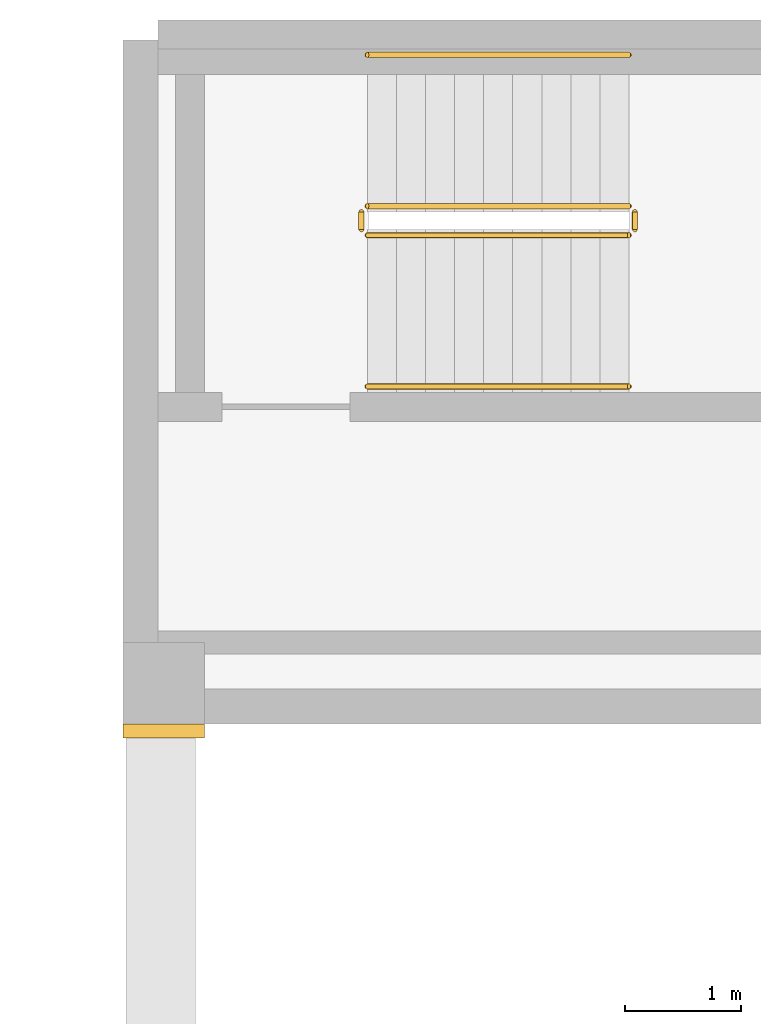
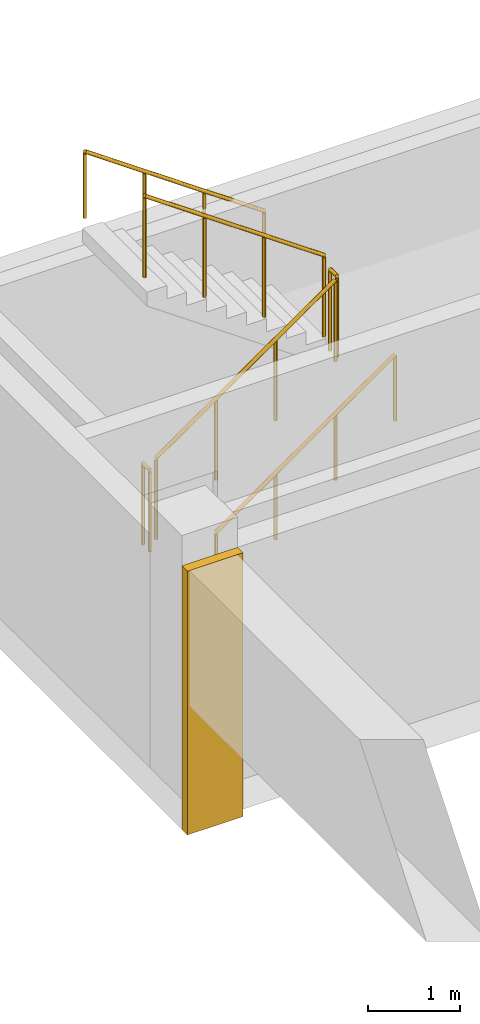
# One storey, part 9 of 9: 6 railings, 1 covering.
"""IFC4 building model written with IfcOpenShell, lengths in metres."""

import ifcopenshell
import ifcopenshell.guid

model = None  # the IFC model being written
_history = None  # IfcOwnerHistory: only IFC2X3 demands one
_inside = {}  # id of a spatial element -> (the spatial element, [elements in it])
_under = {}  # id of a project, library or spatial element -> (it, [spatial elements below it])
_declared = {}  # id of a project -> (the project, [libraries it declares])
_typed = {}  # id of a type object -> (the type object, [elements of that type])
_made_of = {}  # id of a material, layer set ... -> (it, [elements and type objects made of it])


def new_model(schema):
    """Start an empty IFC model of exactly this schema.

    Asked for "IFC4X3", IfcOpenShell would pick the latest addendum, in which some entities
    have other attributes; the version numbers below select the first issue.
    IFC2X3 requires an IfcOwnerHistory on every rooted entity: one is made here for all.
    """
    global model, _history
    if schema == "IFC4X3":
        model = ifcopenshell.file(schema_version=(4, 3, 0, 0))
    else:
        model = ifcopenshell.file(schema=schema)
    _inside.clear()
    _under.clear()
    _declared.clear()
    _typed.clear()
    _made_of.clear()
    _history = None
    if model.schema == "IFC2X3":
        org = make("IfcOrganization", Name="unknown")
        user = make(
            "IfcPersonAndOrganization",
            ThePerson=make("IfcPerson", FamilyName="unknown"),
            TheOrganization=org,
        )
        app = make(
            "IfcApplication",
            ApplicationDeveloper=org,
            Version="unknown",
            ApplicationFullName="unknown",
            ApplicationIdentifier="unknown",
        )
        _history = make(
            "IfcOwnerHistory",
            OwningUser=user,
            OwningApplication=app,
            ChangeAction="ADDED",
            CreationDate=0,
        )
    return model


def make(cls, **values):
    """One entity of the class cls with the attributes given. An attribute that is None is left unset."""
    return model.create_entity(
        cls, **{name: value for name, value in values.items() if value is not None}
    )


def rooted(cls, **values):
    """An entity with a GlobalId (a new one), such as an element, a storey or a relation."""
    return make(cls, GlobalId=ifcopenshell.guid.new(), OwnerHistory=_history, **values)


def si_unit(unit_type, name, prefix=None):
    """IfcSIUnit, for example si_unit("LENGTHUNIT", "METRE", prefix="MILLI")."""
    return make("IfcSIUnit", UnitType=unit_type, Prefix=prefix, Name=name)


def assignment(units):
    """IfcUnitAssignment: the units of a project."""
    return None if units is None else make("IfcUnitAssignment", Units=units)


def point(xyz):
    """IfcCartesianPoint."""
    return None if xyz is None else make("IfcCartesianPoint", Coordinates=xyz)


def direction(xyz):
    """IfcDirection."""
    return None if xyz is None else make("IfcDirection", DirectionRatios=xyz)


def frame(location, z_axis=None, x_axis=None):
    """IfcAxis2Placement3D, a coordinate frame: its origin and axes. An axis left out is left unset."""
    return make(
        "IfcAxis2Placement3D",
        Location=point(location),
        Axis=direction(z_axis),
        RefDirection=direction(x_axis),
    )


def frame_2d(location, x_axis=None):
    """IfcAxis2Placement2D, a coordinate frame in the plane: its origin and x axis."""
    return make(
        "IfcAxis2Placement2D", Location=point(location), RefDirection=direction(x_axis)
    )


def origin():
    """The frame at (0, 0, 0) with its axes left unset."""
    return frame((0.0, 0.0, 0.0))


def origin_2d():
    """The frame at (0, 0) in the plane with its x axis left unset."""
    return frame_2d((0.0, 0.0))


def place(relative_to, where):
    """IfcLocalPlacement: puts the frame where relative to a parent placement (None: the world)."""
    return make(
        "IfcLocalPlacement", PlacementRelTo=relative_to, RelativePlacement=where
    )


def context(
    kind, dimensions, precision=None, world=None, true_north=None, identifier=None
):
    """IfcGeometricRepresentationContext, for example the 3D "Model" context."""
    return make(
        "IfcGeometricRepresentationContext",
        ContextIdentifier=identifier,
        ContextType=kind,
        CoordinateSpaceDimension=dimensions,
        Precision=precision,
        WorldCoordinateSystem=world,
        TrueNorth=true_north,
    )


def subcontext(parent, identifier, kind, view, scale=None):
    """IfcGeometricRepresentationSubContext, for example "Body" below "Model"."""
    return make(
        "IfcGeometricRepresentationSubContext",
        ContextIdentifier=identifier,
        ContextType=kind,
        ParentContext=parent,
        TargetScale=scale,
        TargetView=view,
    )


def project(units=None, contexts=None):
    """IfcProject with its units and contexts."""
    return rooted(
        "IfcProject",
        Name="project",
        RepresentationContexts=contexts,
        UnitsInContext=assignment(units),
    )


def spatial(cls, under=None, at=None, **own):
    """A site, building, storey or space (cls), placed at a placement, below another one or the project."""
    s = rooted(cls, ObjectPlacement=at, **own)
    if under is not None:
        _under.setdefault(under.id(), (under, []))[1].append(s)
    return s


def profile(cls, at=None, kind="AREA", **sizes):
    """A parametric profile (cls). Its sizes go by their IFC names, for example OverallWidth=200.0."""
    return make(cls, ProfileType=kind, Position=at, **sizes)


def rectangle(**sizes):
    """IfcRectangleProfileDef."""
    return profile("IfcRectangleProfileDef", **sizes)


def circle(**sizes):
    """IfcCircleProfileDef."""
    return profile("IfcCircleProfileDef", **sizes)


def extrude(swept, where, along, depth):
    """IfcExtrudedAreaSolid: the profile swept, set in the frame where, extruded along a direction by depth."""
    return make(
        "IfcExtrudedAreaSolid",
        SweptArea=swept,
        Position=where,
        ExtrudedDirection=direction(along),
        Depth=depth,
    )


def shape(context_of_items, identifier, shape_type, items):
    """IfcShapeRepresentation: the items that make up one representation, for example the "Body"."""
    return make(
        "IfcShapeRepresentation",
        ContextOfItems=context_of_items,
        RepresentationIdentifier=identifier,
        RepresentationType=shape_type,
        Items=items,
    )


def source(mapping_origin, context_of_items, identifier, shape_type, items):
    """IfcRepresentationMap: a shape defined once, which mapped items show again and again."""
    return make(
        "IfcRepresentationMap",
        MappingOrigin=mapping_origin,
        MappedRepresentation=shape(context_of_items, identifier, shape_type, items),
    )


def transform(
    local_origin,
    x_axis=None,
    y_axis=None,
    z_axis=None,
    scale=None,
    scale2=None,
    scale3=None,
    uniform=True,
):
    """IfcCartesianTransformationOperator3D, or its non-uniform kind. x_axis, y_axis, z_axis: its Axis1, 2, 3."""
    if uniform:
        return make(
            "IfcCartesianTransformationOperator3D",
            Axis1=direction(x_axis),
            Axis2=direction(y_axis),
            LocalOrigin=point(local_origin),
            Scale=scale,
            Axis3=direction(z_axis),
        )
    return make(
        "IfcCartesianTransformationOperator3DnonUniform",
        Axis1=direction(x_axis),
        Axis2=direction(y_axis),
        LocalOrigin=point(local_origin),
        Scale=scale,
        Axis3=direction(z_axis),
        Scale2=scale2,
        Scale3=scale3,
    )


def mapped(mapping_source, mapping_target):
    """IfcMappedItem: shows the shape of a source again, moved by a transform."""
    return make(
        "IfcMappedItem", MappingSource=mapping_source, MappingTarget=mapping_target
    )


def material(Name=None, Category=None):
    """IfcMaterial."""
    return make("IfcMaterial", Name=Name, Category=Category)


def made_of(thing, what):
    """Note that an element or type object is made of a material, layer set ...; save() writes the relation."""
    if what is not None:
        _made_of.setdefault(what.id(), (what, []))[1].append(thing)
    return thing


def type_object(cls, material=None, **own):
    """A type object (cls), such as IfcWallType, which elements share."""
    return made_of(rooted(cls, **own), material)


def element(
    cls,
    number,
    at=None,
    inside=None,
    cuts=None,
    type_object=None,
    material=None,
    context=None,
    identifier="Body",
    shape_type=None,
    held_by="IfcProductDefinitionShape",
    body=None,
    shapes=None,
    **own,
):
    """One element of the class cls, such as IfcWall. Its Tag is "e" and its number.

    at: its placement. inside: the storey or other place that contains it. cuts: it is an
    opening in that element (IfcRelVoidsElement). A single representation is given by context,
    identifier, shape_type and body (its items); several are given by shapes. held_by: the class
    of the entity that holds the representations. save() writes the other relations.
    """
    e = rooted(cls, Tag="e%d" % number, ObjectPlacement=at, **own)
    if body is not None:
        shapes = [shape(context, identifier, shape_type, body)]
    if shapes is not None:
        e.Representation = make(held_by, Representations=shapes)
    if inside is not None:
        _inside.setdefault(inside.id(), (inside, []))[1].append(e)
    if cuts is not None:
        rooted(
            "IfcRelVoidsElement", RelatingBuildingElement=cuts, RelatedOpeningElement=e
        )
    if type_object is not None:
        _typed.setdefault(type_object.id(), (type_object, []))[1].append(e)
    return made_of(e, material)


def aggregate(whole, parts):
    """IfcRelAggregates: a whole, such as a stair, and the parts it consists of."""
    return rooted("IfcRelAggregates", RelatingObject=whole, RelatedObjects=parts)


def save(model, path):
    """Write the relations noted so far, then the file.

    IfcRelAggregates (storeys below a building ...), IfcRelContainedInSpatialStructure (elements
    in a storey), IfcRelDefinesByType, IfcRelAssociatesMaterial and IfcRelDeclares: one each for
    every whole, place, type object, material and project.
    """
    for whole, parts in _under.values():
        aggregate(whole, parts)
    for where, things in _inside.values():
        rooted(
            "IfcRelContainedInSpatialStructure",
            RelatedElements=things,
            RelatingStructure=where,
        )
    for kind, things in _typed.values():
        rooted("IfcRelDefinesByType", RelatedObjects=things, RelatingType=kind)
    for what, things in _made_of.values():
        rooted("IfcRelAssociatesMaterial", RelatedObjects=things, RelatingMaterial=what)
    for by, libraries in _declared.values():
        rooted("IfcRelDeclares", RelatingContext=by, RelatedDefinitions=libraries)
    model.write(path)


model = new_model("IFC4")

# Units and contexts
model_context = context("Model", 3, precision=1e-05, world=origin(), true_north=direction((0.0, 1.0)))
body_context = subcontext(model_context, "Body", "Model", "MODEL_VIEW")
ifc_project = project(units=[si_unit("LENGTHUNIT", "METRE"), si_unit("AREAUNIT", "SQUARE_METRE"), si_unit("VOLUMEUNIT", "CUBIC_METRE"), si_unit("PLANEANGLEUNIT", "RADIAN"), si_unit("MASSUNIT", "GRAM", prefix="KILO")], contexts=[model_context])

# Site, building, storey
site_placement = place(None, origin())
site = spatial("IfcSite", under=ifc_project, at=site_placement, CompositionType="ELEMENT")
building_placement = place(site_placement, origin())
building = spatial("IfcBuilding", under=site, at=building_placement, Name="Aurelian Terraces", CompositionType="ELEMENT")
storey_placement = place(building_placement, frame((0.0, 0.0, 323.0)))
storey = spatial("IfcBuildingStorey", under=building, at=storey_placement, Name="L75", CompositionType="ELEMENT", Elevation=323.0)

# Covering
ifc_material_1 = material(Name="Terracotta rainscreen cladding relief", Category="masonry")
covering_type = type_object("IfcCoveringType", Name="BAGUETTE-TC", PredefinedType="CLADDING", material=ifc_material_1)
shared_shape_1 = source(origin(), body_context, "Body", "SweptSolid", [
    extrude(rectangle(XDim=0.7, YDim=0.12, at=origin_2d()), origin(), (0.0, 0.0, 1.0), 3.5),
])
covering_placement = place(storey_placement, frame((10.85, 37.74, -0.4), z_axis=(0.0, 0.0, 1.0), x_axis=(1.0, 0.0, 0.0)))
element("IfcCovering", 1, at=covering_placement, inside=storey, type_object=covering_type, Name="BAGUETTE pier L75 6", PredefinedType="CLADDING", context=body_context, shape_type="MappedRepresentation", body=[
    mapped(shared_shape_1, transform((0.0, 0.0, 0.0), scale=1.0)),
])

# Railings
ifc_material_2 = material(Name="Stainless steel", Category="steel")
railing_type_1 = type_object("IfcRailingType", Name="Stair guard 1100", PredefinedType="GUARDRAIL", material=ifc_material_2)
shared_shape_2 = source(origin(), body_context, "Body", "SweptSolid", [
    extrude(circle(Radius=0.024, at=origin_2d()), frame((0.0, 0.0, 1.076), z_axis=(0.0, 1.0, 0.0), x_axis=(-1.0, 0.0, 0.0)), (0.0, 0.0, 1.0), 0.15),
    extrude(circle(Radius=0.021, at=origin_2d()), origin(), (0.0, 0.0, 1.0), 1.052),
    extrude(circle(Radius=0.021, at=origin_2d()), frame((0.0, 0.15, 0.0)), (0.0, 0.0, 1.0), 1.052),
])
for number, where, name in (
    (2, (14.9, 42.05, 1.75), "L75 S3U stair guard 2"),
    (3, (12.55, 42.05, 0.0), "L75 S3U stair guard 4"),
):
    element("IfcRailing", number, at=place(storey_placement, frame(where)), inside=storey, type_object=railing_type_1, Name=name, PredefinedType="GUARDRAIL", context=body_context, shape_type="MappedRepresentation", body=[
        mapped(shared_shape_2, transform((0.0, 0.0, 0.0), scale=1.0)),
    ])
shared_shape_3 = source(origin(), body_context, "Body", "SweptSolid", [
    extrude(circle(Radius=0.024, at=origin_2d()), frame((0.0, 0.0, 1.076), z_axis=(0.819231920519, 0.0, 0.573462344363), x_axis=(0.0, 1.0, 0.0)), (0.0, 0.0, 1.0), 2.7465),
    extrude(circle(Radius=0.021, at=origin_2d()), origin(), (0.0, 0.0, 1.0), 1.052),
    extrude(circle(Radius=0.021, at=origin_2d()), frame((0.75, 0.0, 0.525)), (0.0, 0.0, 1.0), 1.052),
    extrude(circle(Radius=0.021, at=origin_2d()), frame((1.5, 0.0, 1.05)), (0.0, 0.0, 1.0), 1.052),
    extrude(circle(Radius=0.021, at=origin_2d()), frame((2.25, 0.0, 1.575)), (0.0, 0.0, 1.0), 1.052),
])
railing_1_placement = place(storey_placement, frame((12.6, 42.0, 0.175)))
element("IfcRailing", 4, at=railing_1_placement, inside=storey, type_object=railing_type_1, Name="L75 S3U stair guard 1", PredefinedType="GUARDRAIL", context=body_context, shape_type="MappedRepresentation", body=[
    mapped(shared_shape_3, transform((0.0, 0.0, 0.0), scale=1.0)),
])
shared_shape_4 = source(origin(), body_context, "Body", "SweptSolid", [
    extrude(circle(Radius=0.024, at=origin_2d()), frame((0.0, 0.0, 1.076), z_axis=(-0.819231920519, 0.0, 0.573462344363), x_axis=(0.0, -1.0, 0.0)), (0.0, 0.0, 1.0), 2.7465),
    extrude(circle(Radius=0.021, at=origin_2d()), origin(), (0.0, 0.0, 1.0), 1.052),
    extrude(circle(Radius=0.021, at=origin_2d()), frame((-0.75, 0.0, 0.525)), (0.0, 0.0, 1.0), 1.052),
    extrude(circle(Radius=0.021, at=origin_2d()), frame((-1.5, 0.0, 1.05)), (0.0, 0.0, 1.0), 1.052),
    extrude(circle(Radius=0.021, at=origin_2d()), frame((-2.25, 0.0, 1.575)), (0.0, 0.0, 1.0), 1.052),
])
railing_2_placement = place(storey_placement, frame((14.85, 42.25, 1.925)))
element("IfcRailing", 5, at=railing_2_placement, inside=storey, type_object=railing_type_1, Name="L75 S3U stair guard 3", PredefinedType="GUARDRAIL", context=body_context, shape_type="MappedRepresentation", body=[
    mapped(shared_shape_4, transform((0.0, 0.0, 0.0), scale=1.0)),
])
railing_type_2 = type_object("IfcRailingType", Name="Stair handrail", PredefinedType="HANDRAIL", material=ifc_material_2)
shared_shape_5 = source(origin(), body_context, "Body", "SweptSolid", [
    extrude(circle(Radius=0.024, at=origin_2d()), frame((0.0, 0.0, 0.876), z_axis=(0.819231920519, 0.0, 0.573462344363), x_axis=(0.0, 1.0, 0.0)), (0.0, 0.0, 1.0), 2.7465),
    extrude(circle(Radius=0.021, at=origin_2d()), origin(), (0.0, 0.0, 1.0), 0.852),
    extrude(circle(Radius=0.021, at=origin_2d()), frame((0.75, 0.0, 0.525)), (0.0, 0.0, 1.0), 0.852),
    extrude(circle(Radius=0.021, at=origin_2d()), frame((1.5, 0.0, 1.05)), (0.0, 0.0, 1.0), 0.852),
    extrude(circle(Radius=0.021, at=origin_2d()), frame((2.25, 0.0, 1.575)), (0.0, 0.0, 1.0), 0.852),
])
railing_3_placement = place(storey_placement, frame((12.6, 40.7, 0.175)))
element("IfcRailing", 6, at=railing_3_placement, inside=storey, type_object=railing_type_2, Name="L75 S3U stair handrail 1", PredefinedType="HANDRAIL", context=body_context, shape_type="MappedRepresentation", body=[
    mapped(shared_shape_5, transform((0.0, 0.0, 0.0), scale=1.0)),
])
shared_shape_6 = source(origin(), body_context, "Body", "SweptSolid", [
    extrude(circle(Radius=0.024, at=origin_2d()), frame((0.0, 0.0, 0.876), z_axis=(-0.819231920519, 0.0, 0.573462344363), x_axis=(0.0, -1.0, 0.0)), (0.0, 0.0, 1.0), 2.7465),
    extrude(circle(Radius=0.021, at=origin_2d()), origin(), (0.0, 0.0, 1.0), 0.852),
    extrude(circle(Radius=0.021, at=origin_2d()), frame((-0.75, 0.0, 0.525)), (0.0, 0.0, 1.0), 0.852),
    extrude(circle(Radius=0.021, at=origin_2d()), frame((-1.5, 0.0, 1.05)), (0.0, 0.0, 1.0), 0.852),
    extrude(circle(Radius=0.021, at=origin_2d()), frame((-2.25, 0.0, 1.575)), (0.0, 0.0, 1.0), 0.852),
])
railing_4_placement = place(storey_placement, frame((14.85, 43.55, 1.925)))
element("IfcRailing", 7, at=railing_4_placement, inside=storey, type_object=railing_type_2, Name="L75 S3U stair handrail 2", PredefinedType="HANDRAIL", context=body_context, shape_type="MappedRepresentation", body=[
    mapped(shared_shape_6, transform((0.0, 0.0, 0.0), scale=1.0)),
])

save(model, "model.ifc")
